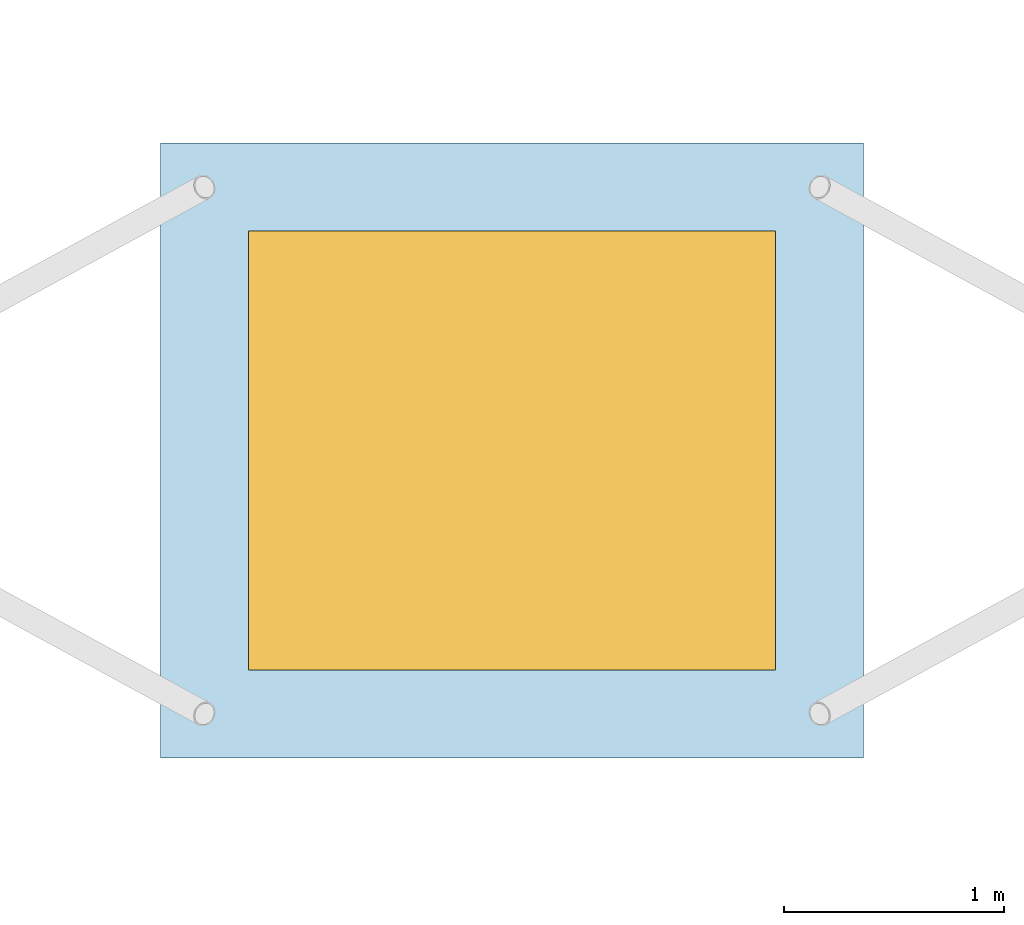
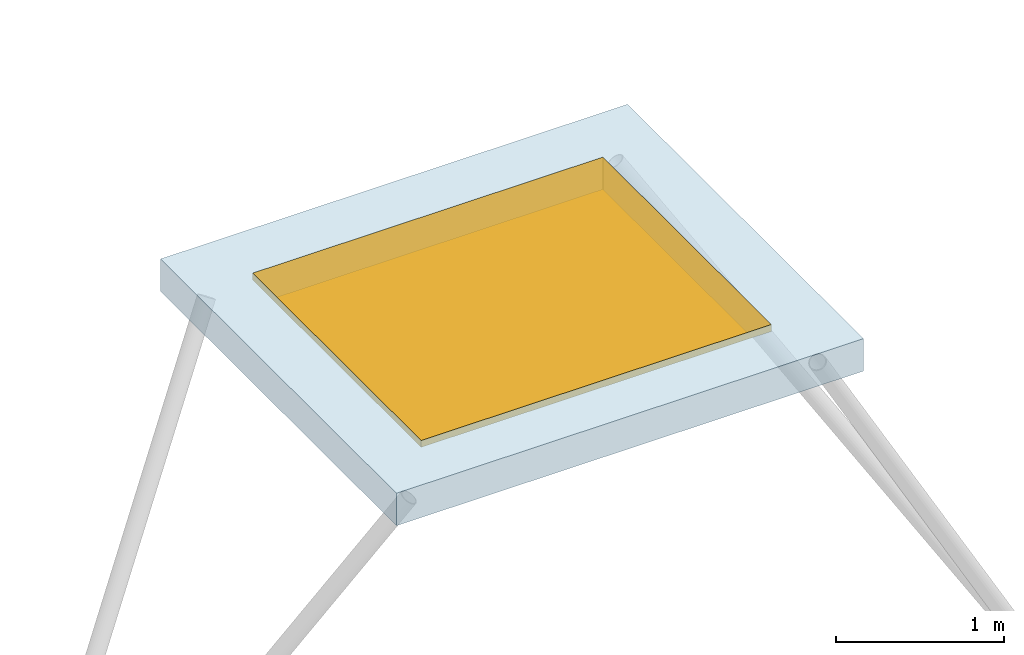
# One storey, part 12 of 38: 1 slab, 1 window, 1 opening.
"""IFC4 building model written with IfcOpenShell, lengths in metres."""

from ifc_helpers import new_model, si_unit, direction, frame, origin, origin_2d, place, context, subcontext, project, spatial, polyline, rectangle, outline, extrude, material, layer, layer_set, type_object, element, fill, save


model = new_model("IFC4")

# Units and contexts
model_context = context("Model", 3, precision=1e-05, world=origin(), true_north=direction((0.0, 1.0)))
body_context = subcontext(model_context, "Body", "Model", "MODEL_VIEW")
ifc_project = project(units=[si_unit("LENGTHUNIT", "METRE"), si_unit("AREAUNIT", "SQUARE_METRE"), si_unit("VOLUMEUNIT", "CUBIC_METRE"), si_unit("PLANEANGLEUNIT", "RADIAN"), si_unit("MASSUNIT", "GRAM", prefix="KILO")], contexts=[model_context])

# Site, building, storey
site_placement = place(None, origin())
site = spatial("IfcSite", under=ifc_project, at=site_placement, CompositionType="ELEMENT")
building_placement = place(site_placement, origin())
building = spatial("IfcBuilding", under=site, at=building_placement, Name="Thalmaran Polytechnic", CompositionType="ELEMENT")
storey_placement = place(building_placement, frame((0.0, 0.0, 18.60009765625)))
storey = spatial("IfcBuildingStorey", under=building, at=storey_placement, Name="L04", CompositionType="ELEMENT", Elevation=18.60009765625)

# Slab, opening, window
ifc_material_1 = material(Name="Concrete C40/50", Category="concrete")
ifc_layer = layer(ifc_material_1, 0.235107421875, Name="Concrete C40/50")
ifc_layer_set = layer_set([ifc_layer], Name="Concrete C40/50")
slab_type = type_object("IfcSlabType", Name="SL-RF02", PredefinedType="ROOF", material=ifc_layer_set)
slab_placement = place(storey_placement, frame((0.0, 0.0, 3.12255859375)))
slab = element("IfcSlab", 1, at=slab_placement, inside=storey, type_object=slab_type, Name="Workshop Ridge Skylight Monitor Curb 1", PredefinedType="ROOF", context=body_context, shape_type="SweptSolid", body=[
    extrude(outline(polyline([(124.39990234375, 23.800048828125), (127.60009765625, 23.800048828125), (127.60009765625, 26.60009765625), (124.39990234375, 26.60009765625), (124.39990234375, 23.800048828125)]), holes=[polyline([(124.800048828125, 24.199951171875), (127.199951171875, 24.199951171875), (127.199951171875, 26.199951171875), (124.800048828125, 26.199951171875), (124.800048828125, 24.199951171875)])]), origin(), (0.0, 0.0, 1.0), 0.235107421875),
])
opening_placement = place(slab_placement, frame((126.0, 25.199951171875, 0.0)))
opening = element("IfcOpeningElement", 2, at=opening_placement, cuts=slab, Name="Opening SK01", PredefinedType="OPENING", context=body_context, shape_type="SweptSolid", body=[
    extrude(rectangle(XDim=2.39990234375, YDim=2.0, at=origin_2d()), frame((0.0, 0.0, -0.010009765625)), (0.0, 0.0, 1.0), 0.255126953125),
])
ifc_material_2 = material(Name="Thermally broken aluminium and double low-E glass", Category="aluminium")
window_type = type_object("IfcWindowType", Name="WN-SK01", PartitioningType="SINGLE_PANEL", PredefinedType="SKYLIGHT", material=ifc_material_2)
window_placement = place(opening_placement, frame((0.0, 0.0, 0.18505859375)))
window = element("IfcWindow", 3, at=window_placement, inside=storey, type_object=window_type, Name="Workshop Ridge Skylight 1", OverallHeight=2.0, OverallWidth=2.39990234375, PartitioningType="SINGLE_PANEL", PredefinedType="SKYLIGHT", context=body_context, shape_type="SweptSolid", body=[
    extrude(rectangle(XDim=2.39990234375, YDim=2.0, at=origin_2d()), origin(), (0.0, 0.0, 1.0), 0.050048828125),
])
fill(opening, window)

save(model, "model.ifc")
